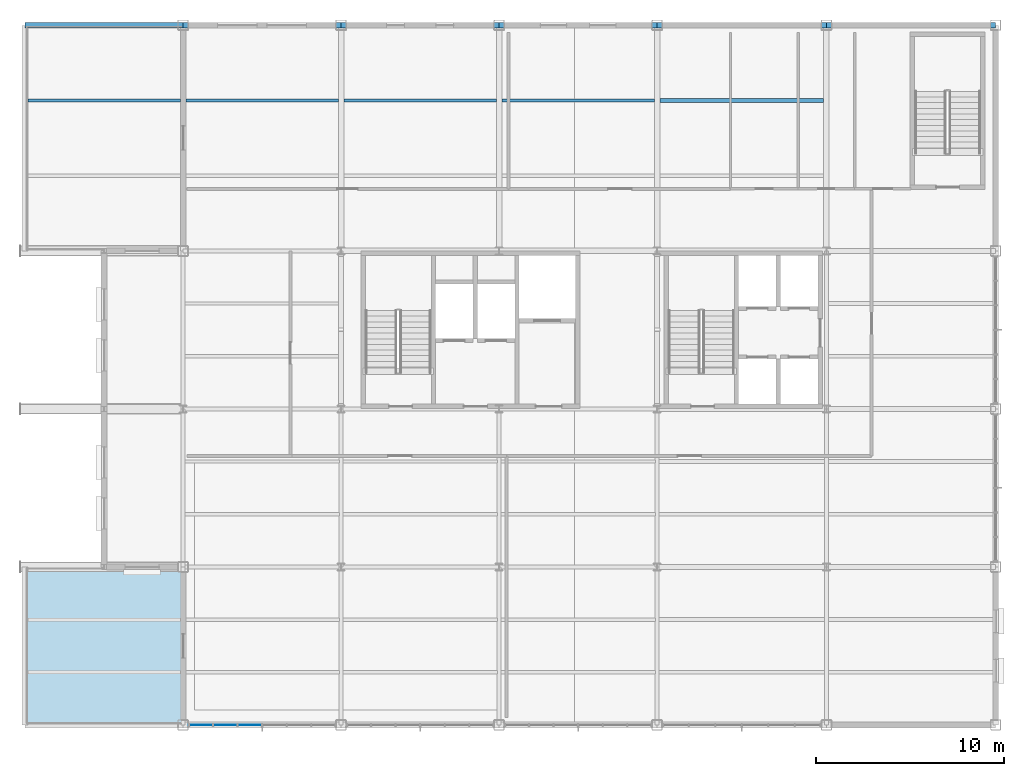
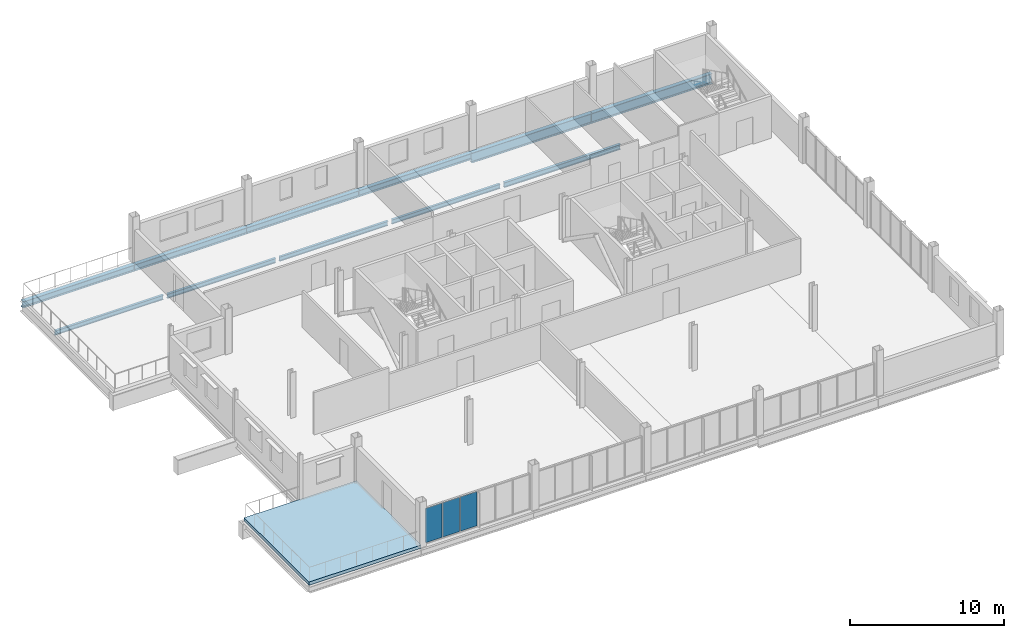
# One storey, part 9 of 18: 11 beams, 3 plates, 1 slab, 1 element without a shape of its own.
"""IFC4 building model written with IfcOpenShell, lengths in metres."""

from ifc_helpers import new_model, si_unit, direction, frame, origin, origin_2d, place, context, subcontext, project, spatial, polyline, rectangle, i_section, outline, extrude, material, layer, layer_set, material_profile, profile_set, type_object, element, aggregate, save


model = new_model("IFC4")

# Units and contexts
model_context = context("Model", 3, precision=1e-05, world=origin(), true_north=direction((0.0, 1.0)))
body_context = subcontext(model_context, "Body", "Model", "MODEL_VIEW")
ifc_project = project(units=[si_unit("LENGTHUNIT", "METRE"), si_unit("AREAUNIT", "SQUARE_METRE"), si_unit("VOLUMEUNIT", "CUBIC_METRE"), si_unit("PLANEANGLEUNIT", "RADIAN"), si_unit("MASSUNIT", "GRAM", prefix="KILO")], contexts=[model_context])

# Site, building, storey
site_placement = place(None, origin())
site = spatial("IfcSite", under=ifc_project, at=site_placement, CompositionType="ELEMENT")
building_placement = place(site_placement, origin())
building = spatial("IfcBuilding", under=site, at=building_placement, Name="Yukiwa Park Conservatory and Herbarium", CompositionType="ELEMENT")
storey_placement = place(building_placement, frame((0.0, 0.0, 21.0)))
storey = spatial("IfcBuildingStorey", under=building, at=storey_placement, Name="L05", CompositionType="ELEMENT", Elevation=21.0)

# Beams
ifc_material_1 = material(Name="Steel Q355D", Category="steel")
ifc_material_profile_1 = material_profile(ifc_material_1, i_section(OverallWidth=0.175048828125, OverallDepth=0.35009765625, WebThickness=0.007080078125, FlangeThickness=0.010986328125, FilletRadius=0.013916015625, at=origin_2d()), Name="HN 350x175x7x11")
ifc_profile_set_1 = profile_set([ifc_material_profile_1], Name="Steel Q355D")
beam_type_1 = type_object("IfcBeamType", Name="BM-JST-HN350", PredefinedType="JOIST", material=ifc_profile_set_1)
beam_1_placement = place(storey_placement, frame((116.5458984375, 111.199951171875, -0.43994140625), z_axis=(1.0, 0.0, 0.0), x_axis=(0.0, 1.0, 0.0)))
element("IfcBeam", 1, at=beam_1_placement, inside=storey, type_object=beam_type_1, Name="L05 composite floor joist 4", PredefinedType="JOIST", context=body_context, shape_type="SweptSolid", body=[
    extrude(i_section(OverallWidth=0.175048828125, OverallDepth=0.35009765625, WebThickness=0.007080078125, FlangeThickness=0.010986328125, FilletRadius=0.013916015625, at=origin_2d()), origin(), (0.0, 0.0, 1.0), 8.108154296875),
])
beam_2_placement = place(storey_placement, frame((124.946044921875, 111.199951171875, -0.47509765625), z_axis=(1.0, 0.0, 0.0), x_axis=(0.0, 1.0, 0.0)))
element("IfcBeam", 2, at=beam_2_placement, inside=storey, type_object=beam_type_1, Name="L05 composite floor joist 12", PredefinedType="JOIST", context=body_context, shape_type="SweptSolid", body=[
    extrude(i_section(OverallWidth=0.175048828125, OverallDepth=0.35009765625, WebThickness=0.007080078125, FlangeThickness=0.010986328125, FilletRadius=0.013916015625, at=origin_2d()), origin(), (0.0, 0.0, 1.0), 8.10791015625),
])
beam_3_placement = place(storey_placement, frame((133.345947265625, 111.199951171875, -0.47509765625), z_axis=(1.0, 0.0, 0.0), x_axis=(0.0, 1.0, 0.0)))
element("IfcBeam", 3, at=beam_3_placement, inside=storey, type_object=beam_type_1, Name="L05 composite floor joist 18", PredefinedType="JOIST", context=body_context, shape_type="SweptSolid", body=[
    extrude(i_section(OverallWidth=0.175048828125, OverallDepth=0.35009765625, WebThickness=0.007080078125, FlangeThickness=0.010986328125, FilletRadius=0.013916015625, at=origin_2d()), origin(), (0.0, 0.0, 1.0), 8.108154296875),
])
beam_4_placement = place(storey_placement, frame((141.74609375, 111.199951171875, -0.47509765625), z_axis=(1.0, 0.0, 0.0), x_axis=(0.0, 1.0, 0.0)))
element("IfcBeam", 4, at=beam_4_placement, inside=storey, type_object=beam_type_1, Name="L05 composite floor joist 24", PredefinedType="JOIST", context=body_context, shape_type="SweptSolid", body=[
    extrude(i_section(OverallWidth=0.175048828125, OverallDepth=0.35009765625, WebThickness=0.007080078125, FlangeThickness=0.010986328125, FilletRadius=0.013916015625, at=origin_2d()), origin(), (0.0, 0.0, 1.0), 8.10791015625),
])
ifc_material_2 = material(Name="Steel Q355D", Category="steel")
ifc_material_profile_2 = material_profile(ifc_material_2, i_section(OverallWidth=0.199951171875, OverallDepth=0.39990234375, WebThickness=0.008056640625, FlangeThickness=0.012939453125, FilletRadius=0.01611328125, at=origin_2d()), Name="HN 400x200x8x13")
ifc_profile_set_2 = profile_set([ifc_material_profile_2], Name="Steel Q355D")
beam_type_2 = type_object("IfcBeamType", Name="BM-JST-HN400", PredefinedType="JOIST", material=ifc_profile_set_2)
beam_5_placement = place(storey_placement, frame((150.14599609375, 111.199951171875, -0.5), z_axis=(1.0, 0.0, 0.0), x_axis=(0.0, 1.0, 0.0)))
element("IfcBeam", 5, at=beam_5_placement, inside=storey, type_object=beam_type_2, Name="L05 composite floor joist 30", PredefinedType="JOIST", context=body_context, shape_type="SweptSolid", body=[
    extrude(i_section(OverallWidth=0.199951171875, OverallDepth=0.39990234375, WebThickness=0.008056640625, FlangeThickness=0.012939453125, FilletRadius=0.01611328125, at=origin_2d()), origin(), (0.0, 0.0, 1.0), 8.7080078125),
])
ifc_material_3 = material(Name="Steel Q355D", Category="steel")
ifc_material_profile_3 = material_profile(ifc_material_3, i_section(OverallWidth=0.300048828125, OverallDepth=0.5, WebThickness=0.010986328125, FlangeThickness=0.01806640625, FilletRadius=0.02392578125, at=origin_2d()), Name="HM 500x300x11x18")
ifc_profile_set_3 = profile_set([ifc_material_profile_3], Name="Steel Q355D")
beam_type_3 = type_object("IfcBeamType", Name="BM-SPN-HN500", PredefinedType="SPANDREL", material=ifc_profile_set_3)
beam_6_placement = place(storey_placement, frame((116.406005859375, 115.199951171875, -0.550048828125), z_axis=(1.0, 0.0, 0.0), x_axis=(0.0, 1.0, 0.0)))
element("IfcBeam", 6, at=beam_6_placement, inside=storey, type_object=beam_type_3, Name="L05 spandrel beam X-22", PredefinedType="SPANDREL", context=body_context, shape_type="SweptSolid", body=[
    extrude(i_section(OverallWidth=0.300048828125, OverallDepth=0.5, WebThickness=0.010986328125, FlangeThickness=0.01806640625, FilletRadius=0.02392578125, at=origin_2d()), origin(), (0.0, 0.0, 1.0), 8.387939453125),
])
beam_7_placement = place(storey_placement, frame((124.805908203125, 115.199951171875, -0.550048828125), z_axis=(1.0, 0.0, 0.0), x_axis=(0.0, 1.0, 0.0)))
element("IfcBeam", 7, at=beam_7_placement, inside=storey, type_object=beam_type_3, Name="L05 spandrel beam X-23", PredefinedType="SPANDREL", context=body_context, shape_type="SweptSolid", body=[
    extrude(i_section(OverallWidth=0.300048828125, OverallDepth=0.5, WebThickness=0.010986328125, FlangeThickness=0.01806640625, FilletRadius=0.02392578125, at=origin_2d()), origin(), (0.0, 0.0, 1.0), 8.38818359375),
])
for number, where, z_axis, x_axis, name in (
    (8, (133.2060546875, 115.199951171875, -0.550048828125), (1.0, 0.0, 0.0), (0.0, 1.0, 0.0), "L05 spandrel beam X-24"),
    (9, (141.60595703125, 115.199951171875, -0.550048828125), (1.0, 0.0, 0.0), (0.0, 1.0, 0.0), "L05 spandrel beam X-25"),
):
    element("IfcBeam", number, at=place(storey_placement, frame(where, z_axis=z_axis, x_axis=x_axis)), inside=storey, type_object=beam_type_3, Name=name, PredefinedType="SPANDREL", context=body_context, shape_type="SweptSolid", body=[
        extrude(i_section(OverallWidth=0.300048828125, OverallDepth=0.5, WebThickness=0.010986328125, FlangeThickness=0.01806640625, FilletRadius=0.02392578125, at=origin_2d()), origin(), (0.0, 0.0, 1.0), 8.387939453125),
    ])
ifc_material_4 = material(Name="Steel Q355D", Category="steel")
ifc_material_profile_4 = material_profile(ifc_material_4, i_section(OverallWidth=0.300048828125, OverallDepth=0.7919921875, WebThickness=0.013916015625, FlangeThickness=0.02197265625, FilletRadius=0.028076171875, at=origin_2d()), Name="HN 792x300x14x22")
ifc_profile_set_4 = profile_set([ifc_material_profile_4], Name="Steel Q355D")
beam_type_4 = type_object("IfcBeamType", Name="BM-SPN-HN600", PredefinedType="SPANDREL", material=ifc_profile_set_4)
for number, where, z_axis, x_axis, name in (
    (10, (150.006103515625, 115.199951171875, -0.696044921875), (1.0, 0.0, 0.0), (0.0, 1.0, 0.0), "L05 spandrel beam X-26"),
    (11, (159.006103515625, 115.199951171875, -0.696044921875), (1.0, 0.0, 0.0), (0.0, 1.0, 0.0), "L05 spandrel beam X-27"),
):
    element("IfcBeam", number, at=place(storey_placement, frame(where, z_axis=z_axis, x_axis=x_axis)), inside=storey, type_object=beam_type_4, Name=name, PredefinedType="SPANDREL", context=body_context, shape_type="SweptSolid", body=[
        extrude(i_section(OverallWidth=0.300048828125, OverallDepth=0.7919921875, WebThickness=0.013916015625, FlangeThickness=0.02197265625, FilletRadius=0.028076171875, at=origin_2d()), origin(), (0.0, 0.0, 1.0), 8.98779296875),
    ])

# Curtain wall, plates
ifc_material_5 = material(Name="Triple Low-E Insulated Glass", Category="glass")
ifc_layer_1 = layer(ifc_material_5, 0.248046875)
ifc_layer_set_1 = layer_set([ifc_layer_1], Name="Triple Low-E Insulated Glass")
curtain_wall_type = type_object("IfcCurtainWallType", Name="CW-TOWER-LAB-S-1400", PredefinedType="NOTDEFINED", material=ifc_layer_set_1)
curtain_wall_placement = place(storey_placement, origin())
curtain_wall = element("IfcCurtainWall", 12, at=curtain_wall_placement, inside=storey, type_object=curtain_wall_type, Name="L05 unitised curtain wall CW-L05-076", PredefinedType="NOTDEFINED")
ifc_material_6 = material(Name="Triple Low-E Insulated Glass", Category="glass")
ifc_layer_2 = layer(ifc_material_6, 0.035888671875)
ifc_layer_set_2 = layer_set([ifc_layer_2], Name="Triple Low-E Insulated Glass")
plate_type = type_object("IfcPlateType", Name="PL-CW-GLZ-36", PredefinedType="CURTAIN_PANEL", material=ifc_layer_set_2)
plate_1_placement = place(storey_placement, frame((125.729248046875, 78.0, 0.070068359375), z_axis=(0.0, 0.0, 1.0), x_axis=(1.0, 0.0, 0.0)))
plate_1 = element("IfcPlate", 13, at=plate_1_placement, type_object=plate_type, Name="CW-L05-076 vision panel 1.1", PredefinedType="CURTAIN_PANEL", context=body_context, shape_type="SweptSolid", body=[
    extrude(rectangle(XDim=1.23828125, YDim=0.035888671875, at=origin_2d()), origin(), (0.0, 0.0, 1.0), 2.7099609375),
])
plate_2_placement = place(storey_placement, frame((127.03759765625, 78.0, 0.070068359375), z_axis=(0.0, 0.0, 1.0), x_axis=(1.0, 0.0, 0.0)))
plate_2 = element("IfcPlate", 14, at=plate_2_placement, type_object=plate_type, Name="CW-L05-076 vision panel 2.1", PredefinedType="CURTAIN_PANEL", context=body_context, shape_type="SweptSolid", body=[
    extrude(rectangle(XDim=1.23828125, YDim=0.035888671875, at=origin_2d()), origin(), (0.0, 0.0, 1.0), 2.7099609375),
])
plate_3_placement = place(storey_placement, frame((128.345703125, 78.0, 0.070068359375), z_axis=(0.0, 0.0, 1.0), x_axis=(1.0, 0.0, 0.0)))
plate_3 = element("IfcPlate", 15, at=plate_3_placement, type_object=plate_type, Name="CW-L05-076 vision panel 3.1", PredefinedType="CURTAIN_PANEL", context=body_context, shape_type="SweptSolid", body=[
    extrude(rectangle(XDim=1.23828125, YDim=0.035888671875, at=origin_2d()), origin(), (0.0, 0.0, 1.0), 2.7099609375),
])
aggregate(curtain_wall, [plate_1, plate_2, plate_3])

# Slab
ifc_material_7 = material(Name="Concrete C40", Category="concrete")
ifc_layer_3 = layer(ifc_material_7, 0.260009765625)
ifc_layer_set_3 = layer_set([ifc_layer_3], Name="Concrete C40")
slab_type = type_object("IfcSlabType", Name="SL-TER-260", PredefinedType="ROOF", material=ifc_layer_set_3)
slab_placement = place(storey_placement, frame((0.0, 0.0, -0.260009765625)))
element("IfcSlab", 16, at=slab_placement, inside=storey, type_object=slab_type, Name="L05 Sky Terrace South West slab", PredefinedType="ROOF", context=body_context, shape_type="SweptSolid", body=[
    extrude(outline(polyline([(116.39990234375, 78.0), (116.39990234375, 86.39990234375), (124.800048828125, 86.39990234375), (124.800048828125, 78.0), (116.39990234375, 78.0)])), origin(), (0.0, 0.0, 1.0), 0.260009765625),
])

save(model, "model.ifc")
